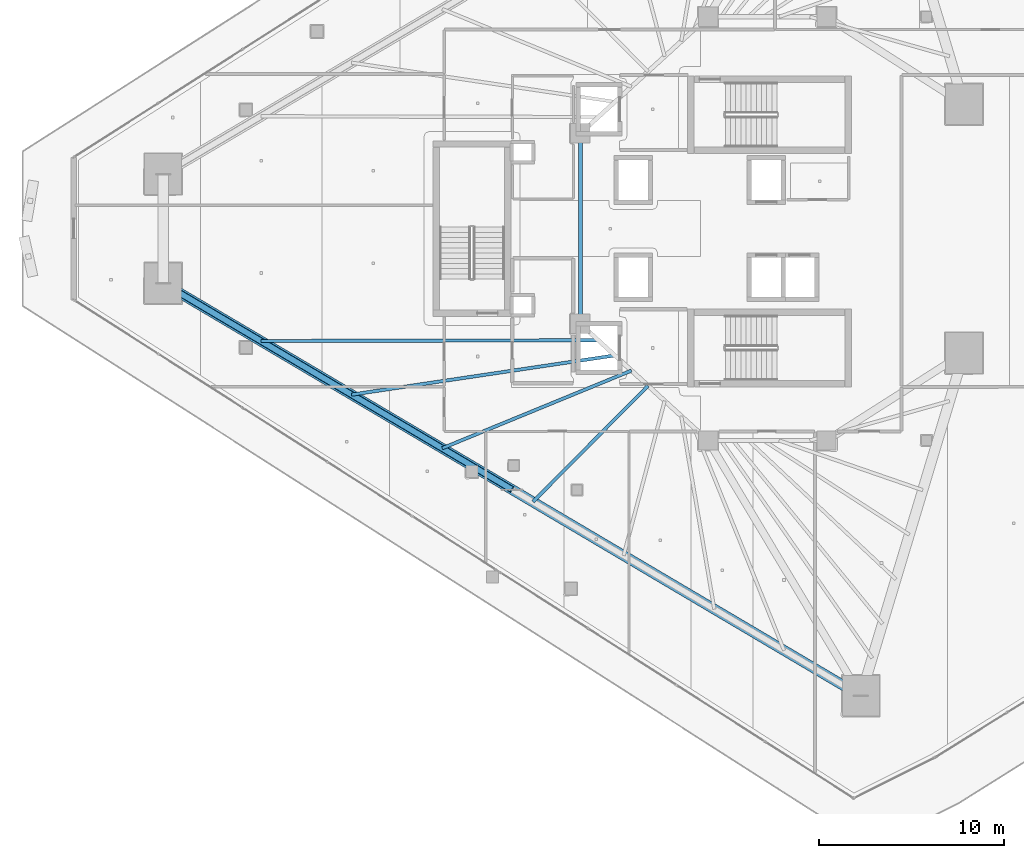
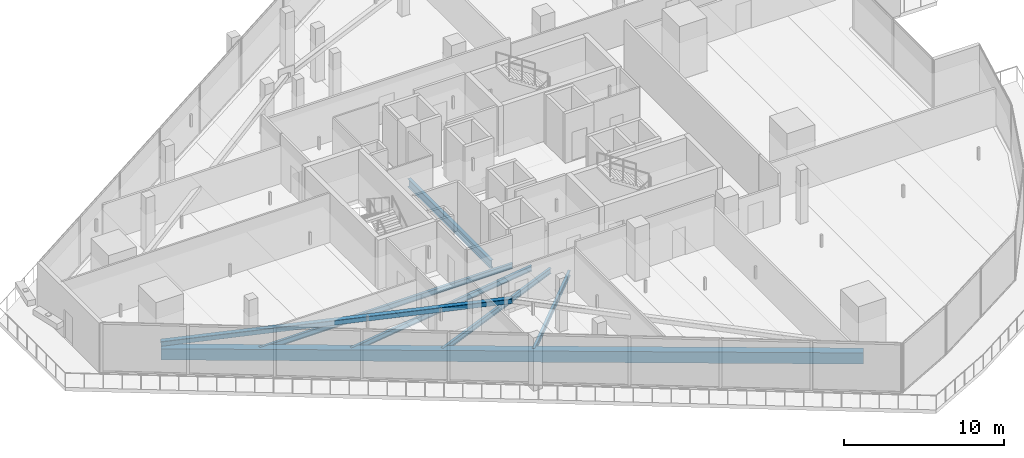
# One storey, part 6 of 45: 6 beams, 1 member.
"""IFC4 building model written with IfcOpenShell, lengths in metres."""

from ifc_helpers import new_model, si_unit, direction, frame, origin, origin_2d, place, context, subcontext, project, spatial, rectangle, hollow_rectangle, i_section, extrude, material, material_profile, profile_set, type_object, element, save


model = new_model("IFC4")

# Units and contexts
model_context = context("Model", 3, precision=1e-05, world=origin(), true_north=direction((0.0, 1.0)))
body_context = subcontext(model_context, "Body", "Model", "MODEL_VIEW")
ifc_project = project(units=[si_unit("LENGTHUNIT", "METRE"), si_unit("AREAUNIT", "SQUARE_METRE"), si_unit("VOLUMEUNIT", "CUBIC_METRE"), si_unit("PLANEANGLEUNIT", "RADIAN"), si_unit("MASSUNIT", "GRAM", prefix="KILO")], contexts=[model_context])

# Site, building, storey
site_placement = place(None, origin())
site = spatial("IfcSite", under=ifc_project, at=site_placement, CompositionType="ELEMENT")
building_placement = place(site_placement, origin())
building = spatial("IfcBuilding", under=site, at=building_placement, Name="Qorvath Tower", CompositionType="ELEMENT")
storey_placement = place(building_placement, frame((0.0, 0.0, 126.0)))
storey = spatial("IfcBuildingStorey", under=building, at=storey_placement, Name="L28", CompositionType="ELEMENT", Elevation=126.0)

# Beams
ifc_material_1 = material(Name="Steel ASTM A992 Grade 50", Category="steel")
ifc_material_profile_1 = material_profile(ifc_material_1, i_section(OverallWidth=0.22998046875, OverallDepth=0.616943359375, WebThickness=0.01318359375, FlangeThickness=0.022216796875, FilletRadius=0.014892578125, at=origin_2d()), Name="W24x94")
ifc_profile_set_1 = profile_set([ifc_material_profile_1], Name="Steel ASTM A992 Grade 50")
beam_type_1 = type_object("IfcBeamType", Name="BM-FG6", PredefinedType="BEAM", material=ifc_profile_set_1)
beam_1_placement = place(storey_placement, frame((-30.5, -5.14990234375, -0.58837890625), z_axis=(0.0, 1.0, 0.0), x_axis=(-1.0, 0.0, 0.0)))
element("IfcBeam", 1, at=beam_1_placement, inside=storey, type_object=beam_type_1, Name="Core Ring Girder CC6-CC5 L28", PredefinedType="BEAM", context=body_context, shape_type="SweptSolid", body=[
    extrude(i_section(OverallWidth=0.22998046875, OverallDepth=0.616943359375, WebThickness=0.01318359375, FlangeThickness=0.022216796875, FilletRadius=0.014892578125, at=origin_2d()), origin(), (0.0, 0.0, 1.0), 10.2998046875),
])
ifc_material_2 = material(Name="Steel ASTM A992 Grade 50", Category="steel")
ifc_material_profile_2 = material_profile(ifc_material_2, i_section(OverallWidth=0.177978515625, OverallDepth=0.406005859375, WebThickness=0.0078125, FlangeThickness=0.0126953125, FilletRadius=0.010986328125, at=origin_2d()), Name="W16x40")
ifc_profile_set_2 = profile_set([ifc_material_profile_2], Name="Steel ASTM A992 Grade 50")
beam_type_2 = type_object("IfcBeamType", Name="BM-FJ3", PredefinedType="JOIST", material=ifc_profile_set_2)
beam_2_placement = place(storey_placement, frame((-29.533935546875, -6.031982421875, -0.48291015625), z_axis=(-0.999997589883, -0.002195501951, 0.0), x_axis=(0.002195501951, -0.999997589883, 0.0)))
element("IfcBeam", 2, at=beam_2_placement, inside=storey, type_object=beam_type_2, Name="Composite Floor Joist SW1 L28", PredefinedType="JOIST", context=body_context, shape_type="SweptSolid", body=[
    extrude(i_section(OverallWidth=0.177978515625, OverallDepth=0.406005859375, WebThickness=0.0078125, FlangeThickness=0.0126953125, FilletRadius=0.010986328125, at=origin_2d()), origin(), (0.0, 0.0, 1.0), 18.23681640625),
])
beam_3_placement = place(storey_placement, frame((-28.636962890625, -6.85107421875, -0.48291015625), z_axis=(-0.989092860328, -0.147293291256, 0.0), x_axis=(0.147293291256, -0.989092860328, 0.0)))
element("IfcBeam", 3, at=beam_3_placement, inside=storey, type_object=beam_type_2, Name="Composite Floor Joist SW2 L28", PredefinedType="JOIST", context=body_context, shape_type="SweptSolid", body=[
    extrude(i_section(OverallWidth=0.177978515625, OverallDepth=0.406005859375, WebThickness=0.0078125, FlangeThickness=0.0126953125, FilletRadius=0.010986328125, at=origin_2d()), origin(), (0.0, 0.0, 1.0), 14.388916015625),
])
beam_4_placement = place(storey_placement, frame((-27.739990234375, -7.669921875, -0.48291015625), z_axis=(-0.925068176006, -0.379801092338, 0.0), x_axis=(0.379801092338, -0.925068176006, 0.0)))
element("IfcBeam", 4, at=beam_4_placement, inside=storey, type_object=beam_type_2, Name="Composite Floor Joist SW3 L28", PredefinedType="JOIST", context=body_context, shape_type="SweptSolid", body=[
    extrude(i_section(OverallWidth=0.177978515625, OverallDepth=0.406005859375, WebThickness=0.0078125, FlangeThickness=0.0126953125, FilletRadius=0.010986328125, at=origin_2d()), origin(), (0.0, 0.0, 1.0), 11.0556640625),
])
beam_5_placement = place(storey_placement, frame((-26.843017578125, -8.489013671875, -0.48291015625), z_axis=(-0.70395121362, -0.710248328997, 0.0), x_axis=(0.710248328997, -0.70395121362, 0.0)))
element("IfcBeam", 5, at=beam_5_placement, inside=storey, type_object=beam_type_2, Name="Composite Floor Joist SW4 L28", PredefinedType="JOIST", context=body_context, shape_type="SweptSolid", body=[
    extrude(i_section(OverallWidth=0.177978515625, OverallDepth=0.406005859375, WebThickness=0.0078125, FlangeThickness=0.0126953125, FilletRadius=0.010986328125, at=origin_2d()), origin(), (0.0, 0.0, 1.0), 8.839599609375),
])
ifc_material_3 = material(Name="Concrete C50/60", Category="concrete")
ifc_material_profile_3 = material_profile(ifc_material_3, rectangle(XDim=0.550048828125, YDim=0.85009765625, at=origin_2d()), Name="RCB 850x550")
ifc_profile_set_3 = profile_set([ifc_material_profile_3], Name="Concrete C50/60")
beam_type_3 = type_object("IfcBeamType", Name="BM-RCB2", PredefinedType="SPANDREL", material=ifc_profile_set_3)
beam_6_placement = place(storey_placement, frame((-53.04931640625, -2.95068359375, -0.705078125), z_axis=(0.860775142889, -0.508985415689, 0.0), x_axis=(0.508985415689, 0.860775142889, 0.0)))
element("IfcBeam", 6, at=beam_6_placement, inside=storey, type_object=beam_type_3, Name="Perimeter Loggia Frame Beam MC2-MC3 L28", PredefinedType="SPANDREL", context=body_context, shape_type="SweptSolid", body=[
    extrude(rectangle(XDim=0.550048828125, YDim=0.85009765625, at=origin_2d()), origin(), (0.0, 0.0, 1.0), 43.8037109375),
])

# Member
ifc_material_4 = material(Name="Steel ASTM A500 Grade C", Category="steel")
ifc_material_profile_4 = material_profile(ifc_material_4, hollow_rectangle(XDim=0.355712890625, YDim=0.355712890625, WallThickness=0.015869140625, InnerFilletRadius=0.015869140625, OuterFilletRadius=0.03173828125, at=origin_2d()), Name="HSS 356x356x16")
ifc_profile_set_4 = profile_set([ifc_material_profile_4], Name="Steel ASTM A500 Grade C")
member_type = type_object("IfcMemberType", Name="MEM-MB2", PredefinedType="BRACE", material=ifc_profile_set_4)
member_placement = place(storey_placement, frame((-53.04931640625, -2.95068359375, 0.0), z_axis=(0.850469444029, -0.502891547317, 0.154278373115), x_axis=(0.508985415689, 0.860775142889, 0.0)))
element("IfcMember", 7, at=member_placement, inside=storey, type_object=member_type, Name="Perimeter Chevron Brace L28-2A", PredefinedType="BRACE", context=body_context, shape_type="SweptSolid", body=[
    extrude(hollow_rectangle(XDim=0.355712890625, YDim=0.355712890625, WallThickness=0.015869140625, InnerFilletRadius=0.015869140625, OuterFilletRadius=0.03173828125, at=origin_2d()), origin(), (0.0, 0.0, 1.0), 22.167236328125),
])

save(model, "model.ifc")
